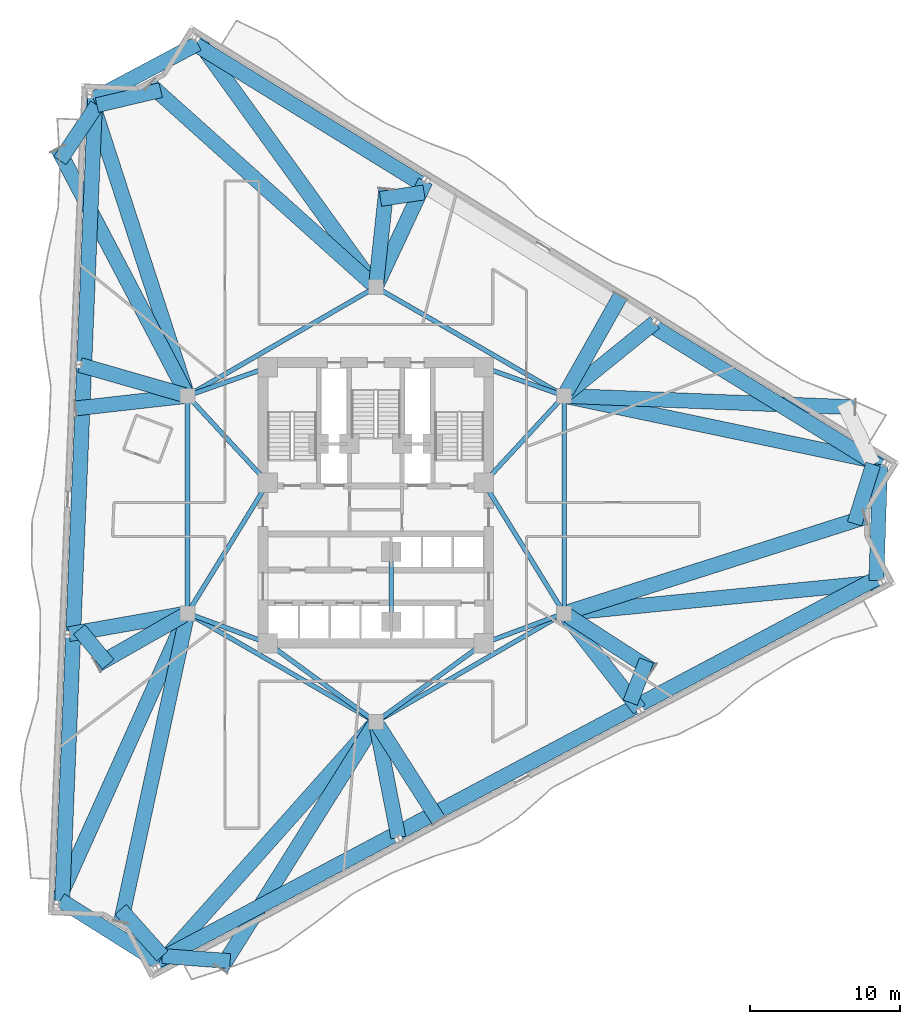
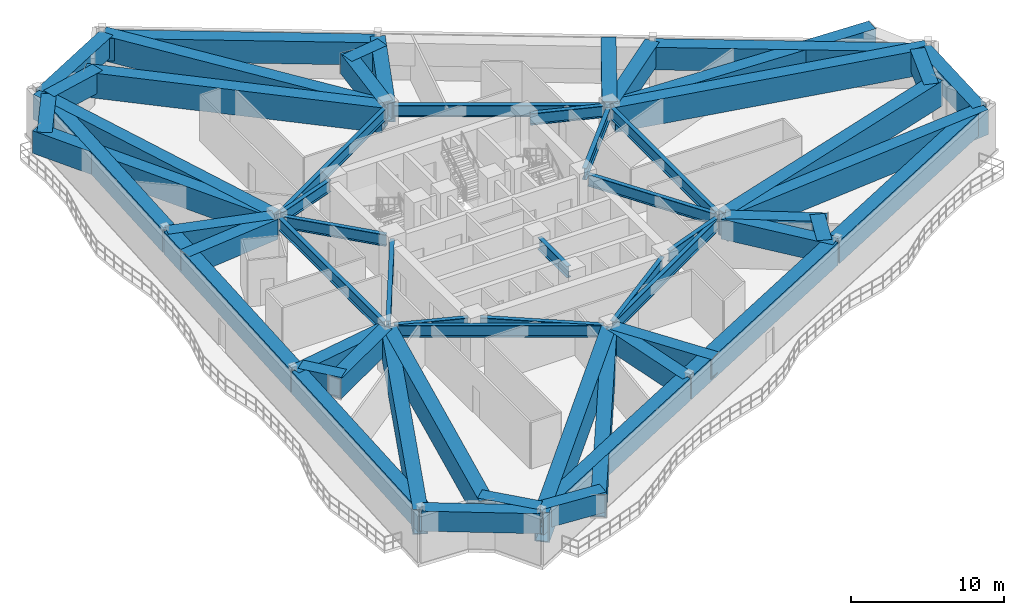
# One storey, part 3 of 14: 60 beams.
"""IFC4 building model written with IfcOpenShell, lengths in metres."""

from ifc_helpers import new_model, si_unit, direction, frame, origin, origin_2d, place, context, subcontext, project, spatial, hollow_rectangle, i_section, extrude, material, material_profile, profile_set, type_object, element, save


model = new_model("IFC4")

# Units and contexts
model_context = context("Model", 3, precision=1e-05, world=origin(), true_north=direction((0.0, 1.0)))
body_context = subcontext(model_context, "Body", "Model", "MODEL_VIEW")
ifc_project = project(units=[si_unit("LENGTHUNIT", "METRE"), si_unit("AREAUNIT", "SQUARE_METRE"), si_unit("VOLUMEUNIT", "CUBIC_METRE"), si_unit("PLANEANGLEUNIT", "RADIAN"), si_unit("MASSUNIT", "GRAM", prefix="KILO")], contexts=[model_context])

# Site, building, storey
site_placement = place(None, origin())
site = spatial("IfcSite", under=ifc_project, at=site_placement, CompositionType="ELEMENT")
building_placement = place(site_placement, origin())
building = spatial("IfcBuilding", under=site, at=building_placement, Name="Apsidion Concourse Tower", CompositionType="ELEMENT")
storey_placement = place(building_placement, frame((0.0, 0.0, 190.10009765625)))
storey = spatial("IfcBuildingStorey", under=building, at=storey_placement, Name="L44", CompositionType="ELEMENT", Elevation=190.10009765625)

# Beams
ifc_material_1 = material(Name="Structural steel ASTM A992 Grade 50", Category="steel")
ifc_material_profile_1 = material_profile(ifc_material_1, i_section(OverallWidth=0.31005859375, OverallDepth=0.931884765625, WebThickness=0.02099609375, FlangeThickness=0.034423828125, at=origin_2d()), Name="W36X210")
ifc_profile_set_1 = profile_set([ifc_material_profile_1], Name="Structural steel ASTM A992 Grade 50")
beam_type_1 = type_object("IfcBeamType", Name="BM-G-W36", PredefinedType="USERDEFINED", material=ifc_profile_set_1)
beam_1_placement = place(storey_placement, frame((-12.185302734375, -7.389892578125, 3.23388671875), z_axis=(0.936913021145, -0.349562570664, 0.0), x_axis=(0.349562570664, 0.936913021145, 0.0)))
element("IfcBeam", 1, at=beam_1_placement, inside=storey, type_object=beam_type_1, Name="L44 Core Coupling Girder IC1-SC1", ObjectType="GIRDER", PredefinedType="USERDEFINED", context=body_context, shape_type="SweptSolid", body=[
    extrude(i_section(OverallWidth=0.31005859375, OverallDepth=0.931884765625, WebThickness=0.02099609375, FlangeThickness=0.034423828125, at=origin_2d()), origin(), (0.0, 0.0, 1.0), 4.921142578125),
])
beam_2_placement = place(storey_placement, frame((-12.35009765625, -6.909423828125, 3.23388671875), z_axis=(0.524524009763, 0.851395656074, 0.0), x_axis=(-0.851395656074, 0.524524009763, 0.0)))
element("IfcBeam", 2, at=beam_2_placement, inside=storey, type_object=beam_type_1, Name="L44 Core Coupling Girder IC1-SC6", ObjectType="GIRDER", PredefinedType="USERDEFINED", context=body_context, shape_type="SweptSolid", body=[
    extrude(i_section(OverallWidth=0.31005859375, OverallDepth=0.931884765625, WebThickness=0.02099609375, FlangeThickness=0.034423828125, at=origin_2d()), origin(), (0.0, 0.0, 1.0), 9.41845703125),
])
beam_3_placement = place(storey_placement, frame((12.185302734375, -7.389892578125, 3.23388671875), z_axis=(-0.936913021145, -0.349562570664, 0.0), x_axis=(0.349562570664, -0.936913021145, 0.0)))
element("IfcBeam", 3, at=beam_3_placement, inside=storey, type_object=beam_type_1, Name="L44 Core Coupling Girder IC2-SC2", ObjectType="GIRDER", PredefinedType="USERDEFINED", context=body_context, shape_type="SweptSolid", body=[
    extrude(i_section(OverallWidth=0.31005859375, OverallDepth=0.931884765625, WebThickness=0.02099609375, FlangeThickness=0.034423828125, at=origin_2d()), origin(), (0.0, 0.0, 1.0), 4.921142578125),
])
beam_4_placement = place(storey_placement, frame((12.35009765625, -6.909423828125, 3.23388671875), z_axis=(-0.524524009763, 0.851395656074, 0.0), x_axis=(-0.851395656074, -0.524524009763, 0.0)))
element("IfcBeam", 4, at=beam_4_placement, inside=storey, type_object=beam_type_1, Name="L44 Core Coupling Girder IC2-SC3", ObjectType="GIRDER", PredefinedType="USERDEFINED", context=body_context, shape_type="SweptSolid", body=[
    extrude(i_section(OverallWidth=0.31005859375, OverallDepth=0.931884765625, WebThickness=0.02099609375, FlangeThickness=0.034423828125, at=origin_2d()), origin(), (0.0, 0.0, 1.0), 9.41845703125),
])
beam_5_placement = place(storey_placement, frame((12.28857421875, 6.956298828125, 3.23388671875), z_axis=(-0.678712876106, -0.73440372535, 0.0), x_axis=(0.73440372535, -0.678712876106, 0.0)))
element("IfcBeam", 5, at=beam_5_placement, inside=storey, type_object=beam_type_1, Name="L44 Core Coupling Girder IC3-SC3", ObjectType="GIRDER", PredefinedType="USERDEFINED", context=body_context, shape_type="SweptSolid", body=[
    extrude(i_section(OverallWidth=0.31005859375, OverallDepth=0.931884765625, WebThickness=0.02099609375, FlangeThickness=0.034423828125, at=origin_2d()), origin(), (0.0, 0.0, 1.0), 7.097412109375),
])
beam_6_placement = place(storey_placement, frame((12.18310546875, 7.383544921875, 3.23388671875), z_axis=(-0.942533844539, 0.334110688094, 0.0), x_axis=(-0.334110688094, -0.942533844539, 0.0)))
element("IfcBeam", 6, at=beam_6_placement, inside=storey, type_object=beam_type_1, Name="L44 Core Coupling Girder IC3-SC4", ObjectType="GIRDER", PredefinedType="USERDEFINED", context=body_context, shape_type="SweptSolid", body=[
    extrude(i_section(OverallWidth=0.31005859375, OverallDepth=0.931884765625, WebThickness=0.02099609375, FlangeThickness=0.034423828125, at=origin_2d()), origin(), (0.0, 0.0, 1.0), 4.886962890625),
])
beam_7_placement = place(storey_placement, frame((-12.28857421875, 6.956298828125, 3.23388671875), z_axis=(0.678712876106, -0.73440372535, 0.0), x_axis=(0.73440372535, 0.678712876106, 0.0)))
element("IfcBeam", 7, at=beam_7_placement, inside=storey, type_object=beam_type_1, Name="L44 Core Coupling Girder IC5-SC6", ObjectType="GIRDER", PredefinedType="USERDEFINED", context=body_context, shape_type="SweptSolid", body=[
    extrude(i_section(OverallWidth=0.31005859375, OverallDepth=0.931884765625, WebThickness=0.02099609375, FlangeThickness=0.034423828125, at=origin_2d()), origin(), (0.0, 0.0, 1.0), 7.097412109375),
])
beam_8_placement = place(storey_placement, frame((-12.18310546875, 7.383544921875, 3.23388671875), z_axis=(0.942533844539, 0.334110688094, 0.0), x_axis=(-0.334110688094, 0.942533844539, 0.0)))
element("IfcBeam", 8, at=beam_8_placement, inside=storey, type_object=beam_type_1, Name="L44 Core Coupling Girder IC5-SC5", ObjectType="GIRDER", PredefinedType="USERDEFINED", context=body_context, shape_type="SweptSolid", body=[
    extrude(i_section(OverallWidth=0.31005859375, OverallDepth=0.931884765625, WebThickness=0.02099609375, FlangeThickness=0.034423828125, at=origin_2d()), origin(), (0.0, 0.0, 1.0), 4.886962890625),
])
for number, where, z_axis, x_axis, name in (
    (9, (-0.3232421875, -14.264404296875, 3.23388671875), (-0.807993498909, 0.589191399905, 0.0), (-0.589191399905, -0.807993498909, 0.0), "L44 Core Coupling Girder IC6-SC1"),
    (10, (0.3232421875, -14.264404296875, 3.23388671875), (0.807993498909, 0.589191399905, 0.0), (-0.589191399905, 0.807993498909, 0.0), "L44 Core Coupling Girder IC6-SC2"),
):
    element("IfcBeam", number, at=place(storey_placement, frame(where, z_axis=z_axis, x_axis=x_axis)), inside=storey, type_object=beam_type_1, Name=name, ObjectType="GIRDER", PredefinedType="USERDEFINED", context=body_context, shape_type="SweptSolid", body=[
        extrude(i_section(OverallWidth=0.31005859375, OverallDepth=0.931884765625, WebThickness=0.02099609375, FlangeThickness=0.034423828125, at=origin_2d()), origin(), (0.0, 0.0, 1.0), 8.11083984375),
    ])
beam_9_placement = place(storey_placement, frame((-12.56005859375, -6.85009765625, 3.23388671875), z_axis=(0.0, 1.0, 0.0), x_axis=(-1.0, 0.0, 0.0)))
element("IfcBeam", 11, at=beam_9_placement, inside=storey, type_object=beam_type_1, Name="L44 Core Coupling Girder IC1-IC5", ObjectType="GIRDER", PredefinedType="USERDEFINED", context=body_context, shape_type="SweptSolid", body=[
    extrude(i_section(OverallWidth=0.31005859375, OverallDepth=0.931884765625, WebThickness=0.02099609375, FlangeThickness=0.034423828125, at=origin_2d()), origin(), (0.0, 0.0, 1.0), 13.7001953125),
])
for number, where, z_axis, x_axis, name in (
    (12, (-12.213623046875, 7.449951171875, 3.23388671875), (0.866070471464, 0.499921932364, 0.0), (-0.499921932364, 0.866070471464, 0.0), "L44 Core Coupling Girder IC5-IC4"),
    (13, (0.346435546875, 14.300048828125, 3.23388671875), (0.866070471464, -0.499921932364, 0.0), (0.499921932364, 0.866070471464, 0.0), "L44 Core Coupling Girder IC4-IC3"),
):
    element("IfcBeam", number, at=place(storey_placement, frame(where, z_axis=z_axis, x_axis=x_axis)), inside=storey, type_object=beam_type_1, Name=name, ObjectType="GIRDER", PredefinedType="USERDEFINED", context=body_context, shape_type="SweptSolid", body=[
        extrude(i_section(OverallWidth=0.31005859375, OverallDepth=0.931884765625, WebThickness=0.02099609375, FlangeThickness=0.034423828125, at=origin_2d()), origin(), (0.0, 0.0, 1.0), 13.702392578125),
    ])
beam_10_placement = place(storey_placement, frame((12.56005859375, 6.85009765625, 3.23388671875), z_axis=(0.0, -1.0, 0.0), x_axis=(1.0, 0.0, 0.0)))
element("IfcBeam", 14, at=beam_10_placement, inside=storey, type_object=beam_type_1, Name="L44 Core Coupling Girder IC3-IC2", ObjectType="GIRDER", PredefinedType="USERDEFINED", context=body_context, shape_type="SweptSolid", body=[
    extrude(i_section(OverallWidth=0.31005859375, OverallDepth=0.931884765625, WebThickness=0.02099609375, FlangeThickness=0.034423828125, at=origin_2d()), origin(), (0.0, 0.0, 1.0), 13.7001953125),
])
for number, where, z_axis, x_axis, name in (
    (15, (12.213623046875, -7.449951171875, 3.23388671875), (-0.866070471464, -0.499921932364, 0.0), (0.499921932364, -0.866070471464, 0.0), "L44 Core Coupling Girder IC2-IC6"),
    (16, (-0.346435546875, -14.300048828125, 3.23388671875), (-0.866070471464, 0.499921932364, 0.0), (-0.499921932364, -0.866070471464, 0.0), "L44 Core Coupling Girder IC6-IC1"),
):
    element("IfcBeam", number, at=place(storey_placement, frame(where, z_axis=z_axis, x_axis=x_axis)), inside=storey, type_object=beam_type_1, Name=name, ObjectType="GIRDER", PredefinedType="USERDEFINED", context=body_context, shape_type="SweptSolid", body=[
        extrude(i_section(OverallWidth=0.31005859375, OverallDepth=0.931884765625, WebThickness=0.02099609375, FlangeThickness=0.034423828125, at=origin_2d()), origin(), (0.0, 0.0, 1.0), 13.702392578125),
    ])
beam_11_placement = place(storey_placement, frame((1.02490234375, -3.550048828125, 3.23388671875), z_axis=(0.0, -1.0, 0.0), x_axis=(1.0, 0.0, 0.0)))
element("IfcBeam", 17, at=beam_11_placement, inside=storey, type_object=beam_type_1, Name="L44 Core Coupling Girder CC5-CC6", ObjectType="GIRDER", PredefinedType="USERDEFINED", context=body_context, shape_type="SweptSolid", body=[
    extrude(i_section(OverallWidth=0.31005859375, OverallDepth=0.931884765625, WebThickness=0.02099609375, FlangeThickness=0.034423828125, at=origin_2d()), origin(), (0.0, 0.0, 1.0), 3.849853515625),
])
ifc_material_2 = material(Name="Structural steel ASTM A572 Grade 50", Category="steel")
ifc_material_profile_2 = material_profile(ifc_material_2, hollow_rectangle(XDim=1.0, YDim=1.60009765625, WallThickness=0.074951171875, at=origin_2d()), Name="BOX1600X1000X75")
ifc_profile_set_2 = profile_set([ifc_material_profile_2], Name="Structural steel ASTM A572 Grade 50")
beam_type_2 = type_object("IfcBeamType", Name="BM-TR-1600", PredefinedType="USERDEFINED", material=ifc_profile_set_2)
for number, where, z_axis, x_axis, name in (
    (18, (-21.030029296875, -26.378662109375, 2.89990234375), (0.84644198879, -0.532480947652, 0.0), (0.532480947652, 0.84644198879, 0.0), "L44 Perimeter Spandrel Girder SP-04"),
    (19, (33.38134765625, -5.068115234375, 2.89990234375), (0.0318872783, 0.999491471441, 0.0), (-0.999491471441, 0.0318872783, 0.0), "L44 Perimeter Spandrel Girder SP-08"),
):
    element("IfcBeam", number, at=place(storey_placement, frame(where, z_axis=z_axis, x_axis=x_axis)), inside=storey, type_object=beam_type_2, Name=name, ObjectType="GIRDER", PredefinedType="USERDEFINED", context=body_context, shape_type="SweptSolid", body=[
        extrude(hollow_rectangle(XDim=1.0, YDim=1.60009765625, WallThickness=0.074951171875, at=origin_2d()), origin(), (0.0, 0.0, 1.0), 7.755859375),
    ])
beam_12_placement = place(storey_placement, frame((-11.878173828125, 30.7333984375, 2.89990234375), z_axis=(-0.882958450983, -0.469451141055, 0.0), x_axis=(0.469451141055, -0.882958450983, 0.0)))
element("IfcBeam", 20, at=beam_12_placement, inside=storey, type_object=beam_type_2, Name="L44 Perimeter Spandrel Girder SP-12", ObjectType="GIRDER", PredefinedType="USERDEFINED", context=body_context, shape_type="SweptSolid", body=[
    extrude(hollow_rectangle(XDim=1.0, YDim=1.60009765625, WallThickness=0.074951171875, at=origin_2d()), origin(), (0.0, 0.0, 1.0), 7.88134765625),
])
beam_13_placement = place(storey_placement, frame((-12.771484375, 7.310791015625, 2.89990234375), z_axis=(-0.961194838859, 0.275870407531, 0.0), x_axis=(-0.275870407531, -0.961194838859, 0.0)))
element("IfcBeam", 21, at=beam_13_placement, inside=storey, type_object=beam_type_2, Name="L44 Radial Floor Girder RAD-02", ObjectType="GIRDER", PredefinedType="USERDEFINED", context=body_context, shape_type="SweptSolid", body=[
    extrude(hollow_rectangle(XDim=1.0, YDim=1.60009765625, WallThickness=0.074951171875, at=origin_2d()), origin(), (0.0, 0.0, 1.0), 7.2373046875),
])
beam_14_placement = place(storey_placement, frame((-12.776611328125, -7.2880859375, 2.89990234375), z_axis=(-0.9848005578, -0.173688978798, 0.0), x_axis=(0.173688978798, -0.9848005578, 0.0)))
element("IfcBeam", 22, at=beam_14_placement, inside=storey, type_object=beam_type_2, Name="L44 Radial Floor Girder RAD-03", ObjectType="GIRDER", PredefinedType="USERDEFINED", context=body_context, shape_type="SweptSolid", body=[
    extrude(hollow_rectangle(XDim=1.0, YDim=1.60009765625, WallThickness=0.074951171875, at=origin_2d()), origin(), (0.0, 0.0, 1.0), 7.805419921875),
])
beam_15_placement = place(storey_placement, frame((0.0419921875, -14.7158203125, 2.89990234375), z_axis=(0.191214845848, -0.981548207032, 0.0), x_axis=(0.981548207032, 0.191214845848, 0.0)))
element("IfcBeam", 23, at=beam_15_placement, inside=storey, type_object=beam_type_2, Name="L44 Radial Floor Girder RAD-06", ObjectType="GIRDER", PredefinedType="USERDEFINED", context=body_context, shape_type="SweptSolid", body=[
    extrude(hollow_rectangle(XDim=1.0, YDim=1.60009765625, WallThickness=0.074951171875, at=origin_2d()), origin(), (0.0, 0.0, 1.0), 7.62890625),
])
beam_16_placement = place(storey_placement, frame((12.69580078125, -7.423095703125, 2.89990234375), z_axis=(0.616838796002, -0.787089511902, 0.0), x_axis=(0.787089511902, 0.616838796002, 0.0)))
element("IfcBeam", 24, at=beam_16_placement, inside=storey, type_object=beam_type_2, Name="L44 Radial Floor Girder RAD-07", ObjectType="GIRDER", PredefinedType="USERDEFINED", context=body_context, shape_type="SweptSolid", body=[
    extrude(hollow_rectangle(XDim=1.0, YDim=1.60009765625, WallThickness=0.074951171875, at=origin_2d()), origin(), (0.0, 0.0, 1.0), 7.914306640625),
])
beam_17_placement = place(storey_placement, frame((12.73095703125, 7.388427734375, 2.89990234375), z_axis=(0.777235083984, 0.629210317958, 0.0), x_axis=(-0.629210317958, 0.777235083984, 0.0)))
element("IfcBeam", 25, at=beam_17_placement, inside=storey, type_object=beam_type_2, Name="L44 Radial Floor Girder RAD-10", ObjectType="GIRDER", PredefinedType="USERDEFINED", context=body_context, shape_type="SweptSolid", body=[
    extrude(hollow_rectangle(XDim=1.0, YDim=1.60009765625, WallThickness=0.074951171875, at=origin_2d()), origin(), (0.0, 0.0, 1.0), 7.55224609375),
])
beam_18_placement = place(storey_placement, frame((0.09326171875, 14.69921875, 2.89990234375), z_axis=(0.423634804892, 0.905833070761, 0.0), x_axis=(-0.905833070761, 0.423634804892, 0.0)))
element("IfcBeam", 26, at=beam_18_placement, inside=storey, type_object=beam_type_2, Name="L44 Radial Floor Girder RAD-11", ObjectType="GIRDER", PredefinedType="USERDEFINED", context=body_context, shape_type="SweptSolid", body=[
    extrude(hollow_rectangle(XDim=1.0, YDim=1.60009765625, WallThickness=0.074951171875, at=origin_2d()), origin(), (0.0, 0.0, 1.0), 7.578857421875),
])
beam_19_placement = place(storey_placement, frame((-18.599365234375, 26.634521484375, 2.89990234375), z_axis=(-0.554598798296, -0.832117884034, 0.0), x_axis=(0.832117884034, -0.554598798296, 0.0)))
element("IfcBeam", 27, at=beam_19_placement, inside=storey, type_object=beam_type_2, Name="L44 Block-Step Perimeter Transfer Bridge NBR-01", ObjectType="GIRDER", PredefinedType="USERDEFINED", context=body_context, shape_type="SweptSolid", body=[
    extrude(hollow_rectangle(XDim=1.0, YDim=1.60009765625, WallThickness=0.074951171875, at=origin_2d()), origin(), (0.0, 0.0, 1.0), 4.4453125),
])
beam_20_placement = place(storey_placement, frame((-12.858154296875, 7.216552734375, 2.89990234375), z_axis=(-0.993736025093, -0.111752907941, 0.0), x_axis=(0.111752907941, -0.993736025093, 0.0)))
element("IfcBeam", 28, at=beam_20_placement, inside=storey, type_object=beam_type_2, Name="L44 Block-Step Radial Transfer Girder NTR-02", ObjectType="GIRDER", PredefinedType="USERDEFINED", context=body_context, shape_type="SweptSolid", body=[
    extrude(hollow_rectangle(XDim=1.0, YDim=1.60009765625, WallThickness=0.074951171875, at=origin_2d()), origin(), (0.0, 0.0, 1.0), 7.198486328125),
])
beam_21_placement = place(storey_placement, frame((-12.82080078125, -7.3984375, 2.89990234375), z_axis=(-0.869128419393, -0.494586484452, 0.0), x_axis=(0.494586484452, -0.869128419393, 0.0)))
element("IfcBeam", 29, at=beam_21_placement, inside=storey, type_object=beam_type_2, Name="L44 Block-Step Radial Transfer Girder NTR-03", ObjectType="GIRDER", PredefinedType="USERDEFINED", context=body_context, shape_type="SweptSolid", body=[
    extrude(hollow_rectangle(XDim=1.0, YDim=1.60009765625, WallThickness=0.074951171875, at=origin_2d()), origin(), (0.0, 0.0, 1.0), 6.642333984375),
])
beam_22_placement = place(storey_placement, frame((-19.77880859375, -8.331298828125, 2.89990234375), z_axis=(0.638823983131, -0.769352921992, 0.0), x_axis=(0.769352921992, 0.638823983131, 0.0)))
element("IfcBeam", 30, at=beam_22_placement, inside=storey, type_object=beam_type_2, Name="L44 Block-Step Perimeter Transfer Bridge NBR-03", ObjectType="GIRDER", PredefinedType="USERDEFINED", context=body_context, shape_type="SweptSolid", body=[
    extrude(hollow_rectangle(XDim=1.0, YDim=1.60009765625, WallThickness=0.074951171875, at=origin_2d()), origin(), (0.0, 0.0, 1.0), 3.020751953125),
])
beam_23_placement = place(storey_placement, frame((-14.236083984375, -30.1044921875, 2.89990234375), z_axis=(-0.667157631454, 0.744916569015, 0.0), x_axis=(-0.744916569015, -0.667157631454, 0.0)))
element("IfcBeam", 31, at=beam_23_placement, inside=storey, type_object=beam_type_2, Name="L44 Block-Step Perimeter Transfer Bridge NBR-04", ObjectType="GIRDER", PredefinedType="USERDEFINED", context=body_context, shape_type="SweptSolid", body=[
    extrude(hollow_rectangle(XDim=1.0, YDim=1.60009765625, WallThickness=0.074951171875, at=origin_2d()), origin(), (0.0, 0.0, 1.0), 4.16943359375),
])
beam_24_placement = place(storey_placement, frame((-14.236083984375, -30.1044921875, 2.89990234375), z_axis=(0.997168694876, -0.075197034251, 0.0), x_axis=(0.075197034251, 0.997168694876, 0.0)))
element("IfcBeam", 32, at=beam_24_placement, inside=storey, type_object=beam_type_2, Name="L44 Block-Step Perimeter Transfer Bridge NBR-05", ObjectType="GIRDER", PredefinedType="USERDEFINED", context=body_context, shape_type="SweptSolid", body=[
    extrude(hollow_rectangle(XDim=1.0, YDim=1.60009765625, WallThickness=0.074951171875, at=origin_2d()), origin(), (0.0, 0.0, 1.0), 4.532470703125),
])
beam_25_placement = place(storey_placement, frame((0.16162109375, -14.752685546875, 2.89990234375), z_axis=(0.538377676775, -0.84270367102, 0.0), x_axis=(0.84270367102, 0.538377676775, 0.0)))
element("IfcBeam", 33, at=beam_25_placement, inside=storey, type_object=beam_type_2, Name="L44 Block-Step Radial Transfer Girder NTR-06", ObjectType="GIRDER", PredefinedType="USERDEFINED", context=body_context, shape_type="SweptSolid", body=[
    extrude(hollow_rectangle(XDim=1.0, YDim=1.60009765625, WallThickness=0.074951171875, at=origin_2d()), origin(), (0.0, 0.0, 1.0), 7.472900390625),
])
beam_26_placement = place(storey_placement, frame((12.81201171875, -7.412841796875, 2.89990234375), z_axis=(0.839876485453, -0.542777568791, 0.0), x_axis=(0.542777568791, 0.839876485453, 0.0)))
element("IfcBeam", 34, at=beam_26_placement, inside=storey, type_object=beam_type_2, Name="L44 Block-Step Radial Transfer Girder NTR-07", ObjectType="GIRDER", PredefinedType="USERDEFINED", context=body_context, shape_type="SweptSolid", body=[
    extrude(hollow_rectangle(XDim=1.0, YDim=1.60009765625, WallThickness=0.074951171875, at=origin_2d()), origin(), (0.0, 0.0, 1.0), 6.68994140625),
])
beam_27_placement = place(storey_placement, frame((16.968505859375, -13.208984375, 2.89990234375), z_axis=(0.358462742392, 0.933544033411, 0.0), x_axis=(-0.933544033411, 0.358462742392, 0.0)))
element("IfcBeam", 35, at=beam_27_placement, inside=storey, type_object=beam_type_2, Name="L44 Block-Step Perimeter Transfer Bridge NBR-07", ObjectType="GIRDER", PredefinedType="USERDEFINED", context=body_context, shape_type="SweptSolid", body=[
    extrude(hollow_rectangle(XDim=1.0, YDim=1.60009765625, WallThickness=0.074951171875, at=origin_2d()), origin(), (0.0, 0.0, 1.0), 3.01025390625),
])
beam_28_placement = place(storey_placement, frame((33.163818359375, 2.68310546875, 2.89990234375), z_axis=(-0.298977954054, -0.954260018543, 0.0), x_axis=(0.954260018543, -0.298977954054, 0.0)))
element("IfcBeam", 36, at=beam_28_placement, inside=storey, type_object=beam_type_2, Name="L44 Block-Step Perimeter Transfer Bridge NBR-08", ObjectType="GIRDER", PredefinedType="USERDEFINED", context=body_context, shape_type="SweptSolid", body=[
    extrude(hollow_rectangle(XDim=1.0, YDim=1.60009765625, WallThickness=0.074951171875, at=origin_2d()), origin(), (0.0, 0.0, 1.0), 4.15234375),
])
beam_29_placement = place(storey_placement, frame((12.707275390625, 7.511474609375, 2.89990234375), z_axis=(0.490751483813, 0.871299593214, 0.0), x_axis=(-0.871299593214, 0.490751483813, 0.0)))
element("IfcBeam", 37, at=beam_29_placement, inside=storey, type_object=beam_type_2, Name="L44 Block-Step Radial Transfer Girder NTR-10", ObjectType="GIRDER", PredefinedType="USERDEFINED", context=body_context, shape_type="SweptSolid", body=[
    extrude(hollow_rectangle(XDim=1.0, YDim=1.60009765625, WallThickness=0.074951171875, at=origin_2d()), origin(), (0.0, 0.0, 1.0), 7.328369140625),
])
beam_30_placement = place(storey_placement, frame((0.031982421875, 14.79833984375, 2.89990234375), z_axis=(0.106660996502, 0.994295444938, 0.0), x_axis=(-0.994295444938, 0.106660996502, 0.0)))
element("IfcBeam", 38, at=beam_30_placement, inside=storey, type_object=beam_type_2, Name="L44 Block-Step Radial Transfer Girder NTR-11", ObjectType="GIRDER", PredefinedType="USERDEFINED", context=body_context, shape_type="SweptSolid", body=[
    extrude(hollow_rectangle(XDim=1.0, YDim=1.60009765625, WallThickness=0.074951171875, at=origin_2d()), origin(), (0.0, 0.0, 1.0), 6.269287109375),
])
beam_31_placement = place(storey_placement, frame((3.216552734375, 20.81494140625, 2.89990234375), z_axis=(-0.989134677802, -0.14701220755, 0.0), x_axis=(0.14701220755, -0.989134677802, 0.0)))
element("IfcBeam", 39, at=beam_31_placement, inside=storey, type_object=beam_type_2, Name="L44 Block-Step Perimeter Transfer Bridge NBR-11", ObjectType="GIRDER", PredefinedType="USERDEFINED", context=body_context, shape_type="SweptSolid", body=[
    extrude(hollow_rectangle(XDim=1.0, YDim=1.60009765625, WallThickness=0.074951171875, at=origin_2d()), origin(), (0.0, 0.0, 1.0), 2.939453125),
])
beam_32_placement = place(storey_placement, frame((-18.599365234375, 26.634521484375, 2.89990234375), z_axis=(0.97335630135, 0.22929786441, 0.0), x_axis=(-0.22929786441, 0.97335630135, 0.0)))
element("IfcBeam", 40, at=beam_32_placement, inside=storey, type_object=beam_type_2, Name="L44 Block-Step Perimeter Transfer Bridge NBR-12", ObjectType="GIRDER", PredefinedType="USERDEFINED", context=body_context, shape_type="SweptSolid", body=[
    extrude(hollow_rectangle(XDim=1.0, YDim=1.60009765625, WallThickness=0.074951171875, at=origin_2d()), origin(), (0.0, 0.0, 1.0), 4.36865234375),
])
ifc_material_profile_3 = material_profile(ifc_material_2, hollow_rectangle(XDim=1.0, YDim=1.800048828125, WallThickness=0.080078125, at=origin_2d()), Name="BOX1800X1000X80")
ifc_profile_set_3 = profile_set([ifc_material_profile_3], Name="Structural steel ASTM A572 Grade 50")
beam_type_3 = type_object("IfcBeamType", Name="BM-TR-1800", PredefinedType="USERDEFINED", material=ifc_profile_set_3)
for number, where, z_axis, x_axis, name in (
    (41, (-18.709716796875, 27.23583984375, 2.7998046875), (-0.040974075242, -0.999160209955, 0.0), (0.999160209955, -0.040974075242, 0.0), "L44 Perimeter Spandrel Girder SP-01"),
    (42, (-19.44775390625, 9.239501953125, 2.7998046875), (-0.040960421931, -0.999160769764, 0.0), (0.999160769764, -0.040960421931, 0.0), "L44 Perimeter Spandrel Girder SP-02"),
    (43, (-20.185546875, -8.7568359375, 2.7998046875), (-0.040974075242, -0.999160209955, 0.0), (0.999160209955, -0.040974075242, 0.0), "L44 Perimeter Spandrel Girder SP-03"),
):
    element("IfcBeam", number, at=place(storey_placement, frame(where, z_axis=z_axis, x_axis=x_axis)), inside=storey, type_object=beam_type_3, Name=name, ObjectType="GIRDER", PredefinedType="USERDEFINED", context=body_context, shape_type="SweptSolid", body=[
        extrude(hollow_rectangle(XDim=1.0, YDim=1.800048828125, WallThickness=0.080078125, at=origin_2d()), origin(), (0.0, 0.0, 1.0), 17.851318359375),
    ])
for number, where, z_axis, x_axis, name in (
    (44, (-14.70751953125, -30.499755859375, 2.7998046875), (0.882951994944, 0.469463283574, 0.0), (-0.469463283574, 0.882951994944, 0.0), "L44 Perimeter Spandrel Girder SP-05"),
    (45, (1.412109375, -21.928955078125, 2.7998046875), (0.882946402673, 0.469473801192, 0.0), (-0.469473801192, 0.882946402673, 0.0), "L44 Perimeter Spandrel Girder SP-06"),
    (46, (17.531494140625, -13.35791015625, 2.7998046875), (0.882951994944, 0.469463283574, 0.0), (-0.469463283574, 0.882951994944, 0.0), "L44 Perimeter Spandrel Girder SP-07"),
):
    element("IfcBeam", number, at=place(storey_placement, frame(where, z_axis=z_axis, x_axis=x_axis)), inside=storey, type_object=beam_type_3, Name=name, ObjectType="GIRDER", PredefinedType="USERDEFINED", context=body_context, shape_type="SweptSolid", body=[
        extrude(hollow_rectangle(XDim=1.0, YDim=1.800048828125, WallThickness=0.080078125, at=origin_2d()), origin(), (0.0, 0.0, 1.0), 18.096435546875),
    ])
for number, where, z_axis, x_axis, name in (
    (47, (33.743408203125, 2.47021484375, 2.7998046875), (-0.85125141174, 0.524758071887, 0.0), (-0.524758071887, -0.85125141174, 0.0), "L44 Perimeter Spandrel Girder SP-09"),
    (48, (3.078857421875, 21.37353515625, 2.7998046875), (-0.85125141174, 0.524758071887, 0.0), (-0.524758071887, -0.85125141174, 0.0), "L44 Perimeter Spandrel Girder SP-11"),
):
    element("IfcBeam", number, at=place(storey_placement, frame(where, z_axis=z_axis, x_axis=x_axis)), inside=storey, type_object=beam_type_3, Name=name, ObjectType="GIRDER", PredefinedType="USERDEFINED", context=body_context, shape_type="SweptSolid", body=[
        extrude(hollow_rectangle(XDim=1.0, YDim=1.800048828125, WallThickness=0.080078125, at=origin_2d()), origin(), (0.0, 0.0, 1.0), 17.851318359375),
    ])
beam_33_placement = place(storey_placement, frame((-12.699462890625, 7.515625, 2.7998046875), z_axis=(-0.464487453303, 0.885579700379, 0.0), x_axis=(-0.885579700379, -0.464487453303, 0.0)))
element("IfcBeam", 49, at=beam_33_placement, inside=storey, type_object=beam_type_3, Name="L44 Block-Step Radial Transfer Girder NTR-01", ObjectType="GIRDER", PredefinedType="USERDEFINED", context=body_context, shape_type="SweptSolid", body=[
    extrude(hollow_rectangle(XDim=1.0, YDim=1.800048828125, WallThickness=0.080078125, at=origin_2d()), origin(), (0.0, 0.0, 1.0), 18.30126953125),
])
beam_34_placement = place(storey_placement, frame((-0.159423828125, -14.754150390625, 2.7998046875), z_axis=(-0.531749822657, -0.846901485477, 0.0), x_axis=(0.846901485477, -0.531749822657, 0.0)))
element("IfcBeam", 50, at=beam_34_placement, inside=storey, type_object=beam_type_3, Name="L44 Block-Step Radial Transfer Girder NTR-05", ObjectType="GIRDER", PredefinedType="USERDEFINED", context=body_context, shape_type="SweptSolid", body=[
    extrude(hollow_rectangle(XDim=1.0, YDim=1.800048828125, WallThickness=0.080078125, at=origin_2d()), origin(), (0.0, 0.0, 1.0), 19.126708984375),
])
beam_35_placement = place(storey_placement, frame((12.85986328125, 7.23828125, 2.7998046875), z_axis=(0.999223154818, -0.039409223217, 0.0), x_axis=(0.039409223217, 0.999223154818, 0.0)))
element("IfcBeam", 51, at=beam_35_placement, inside=storey, type_object=beam_type_3, Name="L44 Block-Step Radial Transfer Girder NTR-09", ObjectType="GIRDER", PredefinedType="USERDEFINED", context=body_context, shape_type="SweptSolid", body=[
    extrude(hollow_rectangle(XDim=1.0, YDim=1.800048828125, WallThickness=0.080078125, at=origin_2d()), origin(), (0.0, 0.0, 1.0), 19.10546875),
])
ifc_material_profile_4 = material_profile(ifc_material_2, hollow_rectangle(XDim=1.0, YDim=2.0, WallThickness=0.080078125, at=origin_2d()), Name="BOX2000X1000X80")
ifc_profile_set_4 = profile_set([ifc_material_profile_4], Name="Structural steel ASTM A572 Grade 50")
beam_type_4 = type_object("IfcBeamType", Name="BM-TR-2000", PredefinedType="USERDEFINED", material=ifc_profile_set_4)
beam_36_placement = place(storey_placement, frame((-12.6279296875, 7.459228515625, 2.699951171875), z_axis=(-0.309075984528, 0.95103734721, 0.0), x_axis=(-0.95103734721, -0.309075984528, 0.0)))
element("IfcBeam", 52, at=beam_36_placement, inside=storey, type_object=beam_type_4, Name="L44 Radial Floor Girder RAD-01", ObjectType="GIRDER", PredefinedType="USERDEFINED", context=body_context, shape_type="SweptSolid", body=[
    extrude(hollow_rectangle(XDim=1.0, YDim=2.0, WallThickness=0.080078125, at=origin_2d()), origin(), (0.0, 0.0, 1.0), 20.794921875),
])
beam_37_placement = place(storey_placement, frame((-12.650390625, -7.45068359375, 2.699951171875), z_axis=(-0.410615485001, -0.911808600243, 0.0), x_axis=(0.911808600243, -0.410615485001, 0.0)))
element("IfcBeam", 53, at=beam_37_placement, inside=storey, type_object=beam_type_4, Name="L44 Radial Floor Girder RAD-04", ObjectType="GIRDER", PredefinedType="USERDEFINED", context=body_context, shape_type="SweptSolid", body=[
    extrude(hollow_rectangle(XDim=1.0, YDim=2.0, WallThickness=0.080078125, at=origin_2d()), origin(), (0.0, 0.0, 1.0), 20.964599609375),
])
beam_38_placement = place(storey_placement, frame((12.77880859375, -7.228515625, 2.699951171875), z_axis=(0.995176296258, 0.098102698054, 0.0), x_axis=(-0.098102698054, 0.995176296258, 0.0)))
element("IfcBeam", 54, at=beam_38_placement, inside=storey, type_object=beam_type_4, Name="L44 Radial Floor Girder RAD-08", ObjectType="GIRDER", PredefinedType="USERDEFINED", context=body_context, shape_type="SweptSolid", body=[
    extrude(hollow_rectangle(XDim=1.0, YDim=2.0, WallThickness=0.080078125, at=origin_2d()), origin(), (0.0, 0.0, 1.0), 20.981689453125),
])
beam_39_placement = place(storey_placement, frame((12.775390625, 7.204833984375, 2.699951171875), z_axis=(0.978712115689, -0.20523789758, 0.0), x_axis=(0.20523789758, 0.978712115689, 0.0)))
element("IfcBeam", 55, at=beam_39_placement, inside=storey, type_object=beam_type_4, Name="L44 Radial Floor Girder RAD-09", ObjectType="GIRDER", PredefinedType="USERDEFINED", context=body_context, shape_type="SweptSolid", body=[
    extrude(hollow_rectangle(XDim=1.0, YDim=2.0, WallThickness=0.080078125, at=origin_2d()), origin(), (0.0, 0.0, 1.0), 21.597412109375),
])
beam_40_placement = place(storey_placement, frame((-0.12890625, 14.678466796875, 2.699951171875), z_axis=(-0.58524513155, 0.810856421321, 0.0), x_axis=(-0.810856421321, -0.58524513155, 0.0)))
element("IfcBeam", 56, at=beam_40_placement, inside=storey, type_object=beam_type_4, Name="L44 Radial Floor Girder RAD-12", ObjectType="GIRDER", PredefinedType="USERDEFINED", context=body_context, shape_type="SweptSolid", body=[
    extrude(hollow_rectangle(XDim=1.0, YDim=2.0, WallThickness=0.080078125, at=origin_2d()), origin(), (0.0, 0.0, 1.0), 20.16015625),
])
beam_41_placement = place(storey_placement, frame((-12.623291015625, -7.543212890625, 2.699951171875), z_axis=(-0.210538073081, -0.97758565854, 0.0), x_axis=(0.97758565854, -0.210538073081, 0.0)))
element("IfcBeam", 57, at=beam_41_placement, inside=storey, type_object=beam_type_4, Name="L44 Block-Step Radial Transfer Girder NTR-04", ObjectType="GIRDER", PredefinedType="USERDEFINED", context=body_context, shape_type="SweptSolid", body=[
    extrude(hollow_rectangle(XDim=1.0, YDim=2.0, WallThickness=0.080078125, at=origin_2d()), origin(), (0.0, 0.0, 1.0), 20.736083984375),
])
beam_42_placement = place(storey_placement, frame((12.845703125, -7.15869140625, 2.699951171875), z_axis=(0.952594506002, 0.304242842373, 0.0), x_axis=(-0.304242842373, 0.952594506002, 0.0)))
element("IfcBeam", 58, at=beam_42_placement, inside=storey, type_object=beam_type_4, Name="L44 Block-Step Radial Transfer Girder NTR-08", ObjectType="GIRDER", PredefinedType="USERDEFINED", context=body_context, shape_type="SweptSolid", body=[
    extrude(hollow_rectangle(XDim=1.0, YDim=2.0, WallThickness=0.080078125, at=origin_2d()), origin(), (0.0, 0.0, 1.0), 20.748291015625),
])
beam_43_placement = place(storey_placement, frame((-0.223388671875, 14.7001953125, 2.699951171875), z_axis=(-0.744501014753, 0.667621329072, 0.0), x_axis=(-0.667621329072, -0.744501014753, 0.0)))
element("IfcBeam", 59, at=beam_43_placement, inside=storey, type_object=beam_type_4, Name="L44 Block-Step Radial Transfer Girder NTR-12", ObjectType="GIRDER", PredefinedType="USERDEFINED", context=body_context, shape_type="SweptSolid", body=[
    extrude(hollow_rectangle(XDim=1.0, YDim=2.0, WallThickness=0.080078125, at=origin_2d()), origin(), (0.0, 0.0, 1.0), 19.9365234375),
])
ifc_material_profile_5 = material_profile(ifc_material_2, hollow_rectangle(XDim=1.0, YDim=2.39990234375, WallThickness=0.080078125, at=origin_2d()), Name="BOX2400X1000X80")
ifc_profile_set_5 = profile_set([ifc_material_profile_5], Name="Structural steel ASTM A572 Grade 50")
beam_type_5 = type_object("IfcBeamType", Name="BM-TR-2400", PredefinedType="USERDEFINED", material=ifc_profile_set_5)
beam_44_placement = place(storey_placement, frame((-0.146484375, -14.664306640625, 2.5), z_axis=(-0.665534428073, -0.746367151642, 0.0), x_axis=(0.746367151642, -0.665534428073, 0.0)))
element("IfcBeam", 60, at=beam_44_placement, inside=storey, type_object=beam_type_5, Name="L44 Radial Floor Girder RAD-05", ObjectType="GIRDER", PredefinedType="USERDEFINED", context=body_context, shape_type="SweptSolid", body=[
    extrude(hollow_rectangle(XDim=1.0, YDim=2.39990234375, WallThickness=0.080078125, at=origin_2d()), origin(), (0.0, 0.0, 1.0), 21.616455078125),
])

save(model, "model.ifc")
